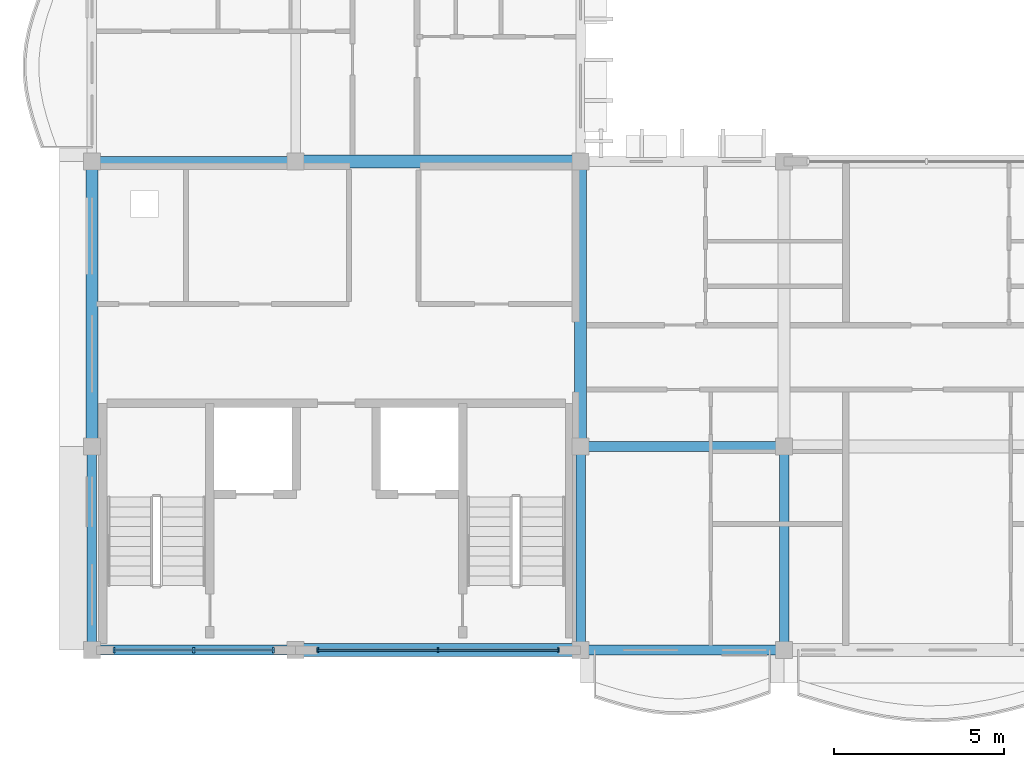
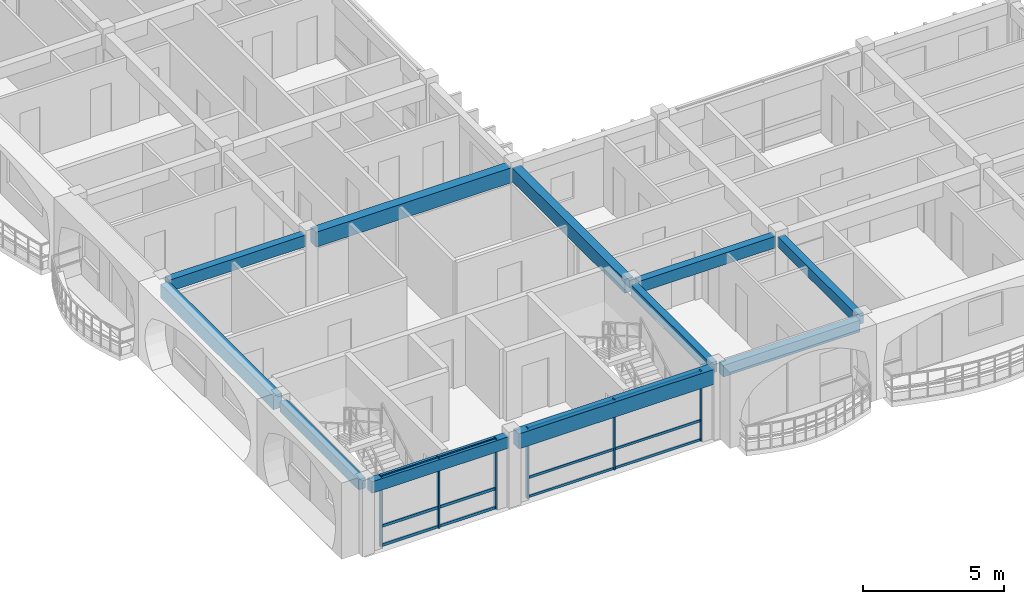
# One storey, part 3 of 54: 12 members, 11 beams, 2 elements without a shape of their own.
"""IFC4 building model written with IfcOpenShell, lengths in metres."""

from ifc_helpers import new_model, si_unit, direction, frame, origin, origin_2d, place, context, subcontext, project, spatial, rectangle, extrude, material, material_profile, profile_set, type_object, element, aggregate, save


model = new_model("IFC4")

# Units and contexts
model_context = context("Model", 3, precision=1e-05, world=origin(), true_north=direction((0.0, 1.0)))
body_context = subcontext(model_context, "Body", "Model", "MODEL_VIEW")
ifc_project = project(units=[si_unit("LENGTHUNIT", "METRE"), si_unit("AREAUNIT", "SQUARE_METRE"), si_unit("VOLUMEUNIT", "CUBIC_METRE"), si_unit("PLANEANGLEUNIT", "RADIAN"), si_unit("MASSUNIT", "GRAM", prefix="KILO"), si_unit("THERMODYNAMICTEMPERATUREUNIT", "KELVIN")], contexts=[model_context])

# Site, building, storey
site_placement = place(None, origin())
site = spatial("IfcSite", under=ifc_project, at=site_placement, CompositionType="ELEMENT")
building_placement = place(site_placement, origin())
building = spatial("IfcBuilding", under=site, at=building_placement, Name="Thalorik Housing Commons", CompositionType="ELEMENT")
storey_placement = place(building_placement, frame((0.0, 0.0, 31.199951171875)))
storey = spatial("IfcBuildingStorey", under=building, at=storey_placement, Name="L09", CompositionType="ELEMENT", Elevation=31.199951171875)

# Curtain wall, members
ifc_material_1 = material(Name="Anodised aluminium and solar-control low-E glass", Category="aluminium")
curtain_wall_type = type_object("IfcCurtainWallType", Name="ARC-CW-CORE", PredefinedType="USERDEFINED", material=ifc_material_1)
curtain_wall_1_placement = place(storey_placement, origin())
curtain_wall_1 = element("IfcCurtainWall", 1, at=curtain_wall_1_placement, inside=storey, type_object=curtain_wall_type, Name="L09 Curtain Wall CW-CORE-L09-C-168", ObjectType="CURTAIN WALL", PredefinedType="USERDEFINED")
ifc_material_2 = material(Name="Anodised aluminium 6063-T6", Category="aluminium")
ifc_material_profile_1 = material_profile(ifc_material_2, rectangle(XDim=0.054931640625, YDim=0.139892578125, at=origin_2d()), Name="ALU MUL 55x140", Category="aluminium")
ifc_profile_set_1 = profile_set([ifc_material_profile_1], Name="Anodised aluminium 6063-T6")
member_type_1 = type_object("IfcMemberType", Name="ARC-CW-MUL-55x140", PredefinedType="MULLION", material=ifc_profile_set_1)
member_1_placement = place(storey_placement, frame((15.050048828125, 8.39990234375, 0.0), z_axis=(0.0, 0.0, 1.0), x_axis=(1.0, 0.0, 0.0)))
member_1 = element("IfcMember", 2, at=member_1_placement, type_object=member_type_1, Name="CW-CORE-L09-C-168 Mullion 1", PredefinedType="MULLION", context=body_context, shape_type="SweptSolid", body=[
    extrude(rectangle(XDim=0.054931640625, YDim=0.139892578125, at=origin_2d()), origin(), (0.0, 0.0, 1.0), 3.0400390625),
])
member_2_placement = place(storey_placement, frame((18.60009765625, 8.39990234375, 0.0), z_axis=(0.0, 0.0, 1.0), x_axis=(1.0, 0.0, 0.0)))
member_2 = element("IfcMember", 3, at=member_2_placement, type_object=member_type_1, Name="CW-CORE-L09-C-168 Mullion 2", PredefinedType="MULLION", context=body_context, shape_type="SweptSolid", body=[
    extrude(rectangle(XDim=0.054931640625, YDim=0.139892578125, at=origin_2d()), origin(), (0.0, 0.0, 1.0), 3.0400390625),
])
member_3_placement = place(storey_placement, frame((22.14990234375, 8.39990234375, 0.0), z_axis=(0.0, 0.0, 1.0), x_axis=(1.0, 0.0, 0.0)))
member_3 = element("IfcMember", 4, at=member_3_placement, type_object=member_type_1, Name="CW-CORE-L09-C-168 Mullion 3", PredefinedType="MULLION", context=body_context, shape_type="SweptSolid", body=[
    extrude(rectangle(XDim=0.054931640625, YDim=0.139892578125, at=origin_2d()), origin(), (0.0, 0.0, 1.0), 3.0400390625),
])

curtain_wall_2_placement = place(storey_placement, origin())
curtain_wall_2 = element("IfcCurtainWall", 5, at=curtain_wall_2_placement, inside=storey, type_object=curtain_wall_type, Name="L09 Curtain Wall CW-CORE-L09-C-167", ObjectType="CURTAIN WALL", PredefinedType="USERDEFINED")
ifc_material_profile_2 = material_profile(ifc_material_2, rectangle(XDim=0.06005859375, YDim=0.159912109375, at=origin_2d()), Name="ALU MUL 60x160", Category="aluminium")
ifc_profile_set_2 = profile_set([ifc_material_profile_2], Name="Anodised aluminium 6063-T6")
member_type_2 = type_object("IfcMemberType", Name="ARC-CW-MUL-60x160", PredefinedType="MULLION", material=ifc_profile_set_2)
member_4_placement = place(storey_placement, frame((9.050048828125, 8.39990234375, 0.0), z_axis=(0.0, 0.0, 1.0), x_axis=(1.0, 0.0, 0.0)))
member_4 = element("IfcMember", 6, at=member_4_placement, type_object=member_type_2, Name="CW-CORE-L09-C-167 Mullion 1", PredefinedType="MULLION", context=body_context, shape_type="SweptSolid", body=[
    extrude(rectangle(XDim=0.06005859375, YDim=0.159912109375, at=origin_2d()), origin(), (0.0, 0.0, 1.0), 3.0400390625),
])
member_5_placement = place(storey_placement, frame((11.39990234375, 8.39990234375, 0.0), z_axis=(0.0, 0.0, 1.0), x_axis=(1.0, 0.0, 0.0)))
member_5 = element("IfcMember", 7, at=member_5_placement, type_object=member_type_2, Name="CW-CORE-L09-C-167 Mullion 2", PredefinedType="MULLION", context=body_context, shape_type="SweptSolid", body=[
    extrude(rectangle(XDim=0.06005859375, YDim=0.159912109375, at=origin_2d()), origin(), (0.0, 0.0, 1.0), 3.0400390625),
])
member_6_placement = place(storey_placement, frame((13.75, 8.39990234375, 0.0), z_axis=(0.0, 0.0, 1.0), x_axis=(1.0, 0.0, 0.0)))
member_6 = element("IfcMember", 8, at=member_6_placement, type_object=member_type_2, Name="CW-CORE-L09-C-167 Mullion 3", PredefinedType="MULLION", context=body_context, shape_type="SweptSolid", body=[
    extrude(rectangle(XDim=0.06005859375, YDim=0.159912109375, at=origin_2d()), origin(), (0.0, 0.0, 1.0), 3.0400390625),
])

# Member
ifc_material_profile_3 = material_profile(ifc_material_2, rectangle(XDim=0.054931640625, YDim=0.10498046875, at=origin_2d()), Name="ALU TRN 55x105", Category="aluminium")
ifc_profile_set_3 = profile_set([ifc_material_profile_3], Name="Anodised aluminium 6063-T6")
member_type_3 = type_object("IfcMemberType", Name="ARC-CW-TRN-55x105", PredefinedType="USERDEFINED", material=ifc_profile_set_3)
member_7_placement = place(storey_placement, frame((15.050048828125, 8.39990234375, 0.054931640625), z_axis=(1.0, 0.0, 0.0), x_axis=(0.0, 1.0, 0.0)))
member_7 = element("IfcMember", 9, at=member_7_placement, type_object=member_type_3, Name="CW-CORE-L09-C-168 Transom 1", ObjectType="TRANSOM", PredefinedType="USERDEFINED", context=body_context, shape_type="SweptSolid", body=[
    extrude(rectangle(XDim=0.054931640625, YDim=0.10498046875, at=origin_2d()), origin(), (0.0, 0.0, 1.0), 7.099853515625),
])

member_8_placement = place(storey_placement, frame((15.050048828125, 8.39990234375, 0.880126953125), z_axis=(1.0, 0.0, 0.0), x_axis=(0.0, 1.0, 0.0)))
member_8 = element("IfcMember", 10, at=member_8_placement, type_object=member_type_3, Name="CW-CORE-L09-C-168 Transom 2", ObjectType="TRANSOM", PredefinedType="USERDEFINED", context=body_context, shape_type="SweptSolid", body=[
    extrude(rectangle(XDim=0.054931640625, YDim=0.10498046875, at=origin_2d()), origin(), (0.0, 0.0, 1.0), 7.099853515625),
])

member_9_placement = place(storey_placement, frame((15.050048828125, 8.39990234375, 2.985107421875), z_axis=(1.0, 0.0, 0.0), x_axis=(0.0, 1.0, 0.0)))
member_9 = element("IfcMember", 11, at=member_9_placement, type_object=member_type_3, Name="CW-CORE-L09-C-168 Transom 3", ObjectType="TRANSOM", PredefinedType="USERDEFINED", context=body_context, shape_type="SweptSolid", body=[
    extrude(rectangle(XDim=0.054931640625, YDim=0.10498046875, at=origin_2d()), origin(), (0.0, 0.0, 1.0), 7.099853515625),
])

aggregate(curtain_wall_1, [member_1, member_2, member_3, member_7, member_8, member_9])

ifc_material_profile_4 = material_profile(ifc_material_2, rectangle(XDim=0.06005859375, YDim=0.1201171875, at=origin_2d()), Name="ALU TRN 60x120", Category="aluminium")
ifc_profile_set_4 = profile_set([ifc_material_profile_4], Name="Anodised aluminium 6063-T6")
member_type_4 = type_object("IfcMemberType", Name="ARC-CW-TRN-60x120", PredefinedType="USERDEFINED", material=ifc_profile_set_4)
member_10_placement = place(storey_placement, frame((9.050048828125, 8.39990234375, 0.054931640625), z_axis=(1.0, 0.0, 0.0), x_axis=(0.0, 1.0, 0.0)))
member_10 = element("IfcMember", 12, at=member_10_placement, type_object=member_type_4, Name="CW-CORE-L09-C-167 Transom 1", ObjectType="TRANSOM", PredefinedType="USERDEFINED", context=body_context, shape_type="SweptSolid", body=[
    extrude(rectangle(XDim=0.06005859375, YDim=0.1201171875, at=origin_2d()), origin(), (0.0, 0.0, 1.0), 4.699951171875),
])

member_11_placement = place(storey_placement, frame((9.050048828125, 8.39990234375, 0.880126953125), z_axis=(1.0, 0.0, 0.0), x_axis=(0.0, 1.0, 0.0)))
member_11 = element("IfcMember", 13, at=member_11_placement, type_object=member_type_4, Name="CW-CORE-L09-C-167 Transom 2", ObjectType="TRANSOM", PredefinedType="USERDEFINED", context=body_context, shape_type="SweptSolid", body=[
    extrude(rectangle(XDim=0.06005859375, YDim=0.1201171875, at=origin_2d()), origin(), (0.0, 0.0, 1.0), 4.699951171875),
])

member_12_placement = place(storey_placement, frame((9.050048828125, 8.39990234375, 2.985107421875), z_axis=(1.0, 0.0, 0.0), x_axis=(0.0, 1.0, 0.0)))
member_12 = element("IfcMember", 14, at=member_12_placement, type_object=member_type_4, Name="CW-CORE-L09-C-167 Transom 3", ObjectType="TRANSOM", PredefinedType="USERDEFINED", context=body_context, shape_type="SweptSolid", body=[
    extrude(rectangle(XDim=0.06005859375, YDim=0.1201171875, at=origin_2d()), origin(), (0.0, 0.0, 1.0), 4.699951171875),
])

aggregate(curtain_wall_2, [member_4, member_5, member_6, member_10, member_11, member_12])

# Beams
ifc_material_3 = material(Name="Precast concrete C40/50", Category="concrete")
ifc_material_profile_5 = material_profile(ifc_material_3, rectangle(XDim=0.280029296875, YDim=0.449951171875, at=origin_2d()), Name="PC 280x450", Category="concrete")
ifc_profile_set_5 = profile_set([ifc_material_profile_5], Name="Precast concrete C40/50")
beam_type_1 = type_object("IfcBeamType", Name="STR-BM-PC280x450", PredefinedType="BEAM", material=ifc_profile_set_5)
for number, where, z_axis, x_axis, name in (
    (15, (8.39990234375, 8.60009765625, 2.81494140625), (0.0, 1.0, 0.0), (-1.0, 0.0, 0.0), "L09 Beam B-450"),
    (16, (22.800048828125, 8.60009765625, 2.81494140625), (0.0, 1.0, 0.0), (-1.0, 0.0, 0.0), "L09 Beam B-450"),
    (17, (28.800048828125, 8.60009765625, 2.81494140625), (0.0, 1.0, 0.0), (-1.0, 0.0, 0.0), "L09 Beam B-450"),
):
    element("IfcBeam", number, at=place(storey_placement, frame(where, z_axis=z_axis, x_axis=x_axis)), inside=storey, type_object=beam_type_1, Name=name, PredefinedType="BEAM", context=body_context, shape_type="SweptSolid", body=[
        extrude(rectangle(XDim=0.280029296875, YDim=0.449951171875, at=origin_2d()), origin(), (0.0, 0.0, 1.0), 5.599853515625),
    ])
ifc_material_profile_6 = material_profile(ifc_material_3, rectangle(XDim=0.300048828125, YDim=0.5, at=origin_2d()), Name="PC 300x500", Category="concrete")
ifc_profile_set_6 = profile_set([ifc_material_profile_6], Name="Precast concrete C40/50")
beam_type_2 = type_object("IfcBeamType", Name="STR-BM-PC300x500", PredefinedType="BEAM", material=ifc_profile_set_6)
beam_1_placement = place(storey_placement, frame((8.60009765625, 8.39990234375, 2.7900390625), z_axis=(1.0, 0.0, 0.0), x_axis=(0.0, 1.0, 0.0)))
element("IfcBeam", 18, at=beam_1_placement, inside=storey, type_object=beam_type_2, Name="L09 Beam B-500", PredefinedType="BEAM", context=body_context, shape_type="SweptSolid", body=[
    extrude(rectangle(XDim=0.300048828125, YDim=0.5, at=origin_2d()), origin(), (0.0, 0.0, 1.0), 5.599853515625),
])
for number, where, z_axis, x_axis, name in (
    (19, (23.0, 8.39990234375, 2.7900390625), (1.0, 0.0, 0.0), (0.0, 1.0, 0.0), "L09 Beam B-500"),
    (20, (23.0, 14.39990234375, 2.7900390625), (1.0, 0.0, 0.0), (0.0, 1.0, 0.0), "L09 Beam B-500"),
):
    element("IfcBeam", number, at=place(storey_placement, frame(where, z_axis=z_axis, x_axis=x_axis)), inside=storey, type_object=beam_type_2, Name=name, PredefinedType="BEAM", context=body_context, shape_type="SweptSolid", body=[
        extrude(rectangle(XDim=0.300048828125, YDim=0.5, at=origin_2d()), origin(), (0.0, 0.0, 1.0), 5.60009765625),
    ])
beam_2_placement = place(storey_placement, frame((8.60009765625, 22.800048828125, 2.7900390625), z_axis=(1.0, 0.0, 0.0), x_axis=(0.0, 1.0, 0.0)))
element("IfcBeam", 21, at=beam_2_placement, inside=storey, type_object=beam_type_2, Name="L09 Beam B-500", PredefinedType="BEAM", context=body_context, shape_type="SweptSolid", body=[
    extrude(rectangle(XDim=0.300048828125, YDim=0.5, at=origin_2d()), origin(), (0.0, 0.0, 1.0), 5.599853515625),
])
ifc_material_profile_7 = material_profile(ifc_material_3, rectangle(XDim=0.35009765625, YDim=0.60009765625, at=origin_2d()), Name="PC 350x600", Category="concrete")
ifc_profile_set_7 = profile_set([ifc_material_profile_7], Name="Precast concrete C40/50")
beam_type_3 = type_object("IfcBeamType", Name="STR-BM-PC350x600", PredefinedType="BEAM", material=ifc_profile_set_7)
for number, where, z_axis, x_axis, name in (
    (22, (8.39990234375, 14.60009765625, 2.739990234375), (0.0, 1.0, 0.0), (-1.0, 0.0, 0.0), "L09 Beam B-600"),
    (23, (22.800048828125, 14.60009765625, 2.739990234375), (0.0, 1.0, 0.0), (-1.0, 0.0, 0.0), "L09 Beam B-600"),
):
    element("IfcBeam", number, at=place(storey_placement, frame(where, z_axis=z_axis, x_axis=x_axis)), inside=storey, type_object=beam_type_3, Name=name, PredefinedType="BEAM", context=body_context, shape_type="SweptSolid", body=[
        extrude(rectangle(XDim=0.35009765625, YDim=0.60009765625, at=origin_2d()), origin(), (0.0, 0.0, 1.0), 8.0),
    ])
ifc_material_profile_8 = material_profile(ifc_material_3, rectangle(XDim=0.3798828125, YDim=0.64990234375, at=origin_2d()), Name="PC 380x650", Category="concrete")
ifc_profile_set_8 = profile_set([ifc_material_profile_8], Name="Precast concrete C40/50")
beam_type_4 = type_object("IfcBeamType", Name="STR-BM-PC380x650", PredefinedType="BEAM", material=ifc_profile_set_8)
for number, where, z_axis, x_axis, name in (
    (24, (14.60009765625, 8.39990234375, 2.715087890625), (1.0, 0.0, 0.0), (0.0, 1.0, 0.0), "L09 Beam B-650"),
    (25, (14.60009765625, 22.800048828125, 2.715087890625), (1.0, 0.0, 0.0), (0.0, 1.0, 0.0), "L09 Beam B-650"),
):
    element("IfcBeam", number, at=place(storey_placement, frame(where, z_axis=z_axis, x_axis=x_axis)), inside=storey, type_object=beam_type_4, Name=name, PredefinedType="BEAM", context=body_context, shape_type="SweptSolid", body=[
        extrude(rectangle(XDim=0.3798828125, YDim=0.64990234375, at=origin_2d()), origin(), (0.0, 0.0, 1.0), 8.0),
    ])

save(model, "model.ifc")
